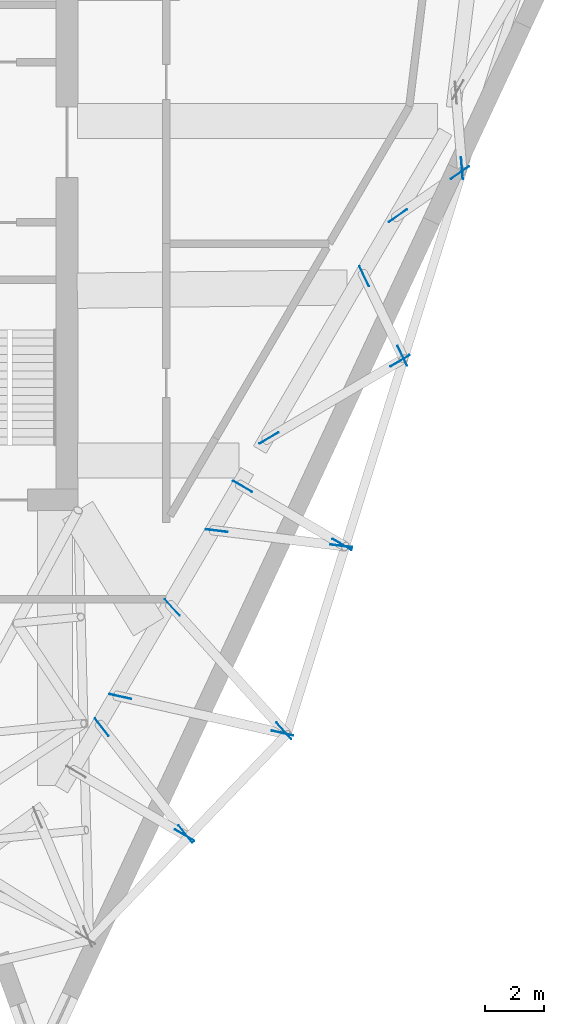
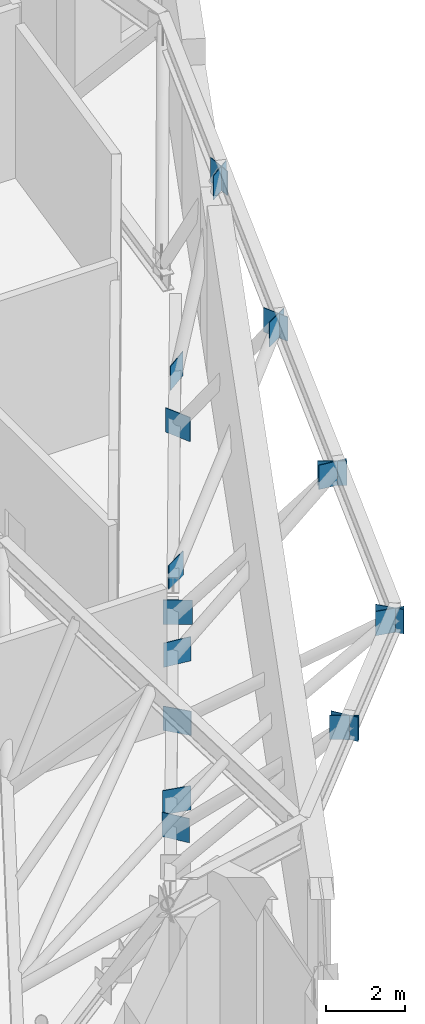
# One storey, part 11 of 15: 18 discrete accessories.
"""IFC4 building model written with IfcOpenShell, lengths in metres."""

from ifc_helpers import new_model, si_unit, direction, frame, origin, origin_2d, place, context, subcontext, project, spatial, rectangle, extrude, material, layer, layer_set, type_object, element, save


model = new_model("IFC4")

# Units and contexts
model_context = context("Model", 3, precision=1e-05, world=origin(), true_north=direction((0.0, 1.0)))
body_context = subcontext(model_context, "Body", "Model", "MODEL_VIEW")
ifc_project = project(units=[si_unit("LENGTHUNIT", "METRE"), si_unit("AREAUNIT", "SQUARE_METRE"), si_unit("VOLUMEUNIT", "CUBIC_METRE"), si_unit("PLANEANGLEUNIT", "RADIAN"), si_unit("MASSUNIT", "GRAM", prefix="KILO")], contexts=[model_context])

# Site, building, storey
site_placement = place(None, origin())
site = spatial("IfcSite", under=ifc_project, at=site_placement, CompositionType="ELEMENT")
building_placement = place(site_placement, origin())
building = spatial("IfcBuilding", under=site, at=building_placement, Name="Dilmun Exchange Tower", CompositionType="ELEMENT")
storey_placement = place(building_placement, frame((0.0, 0.0, 290.89990234375)))
storey = spatial("IfcBuildingStorey", under=building, at=storey_placement, Name="L69", CompositionType="ELEMENT", Elevation=290.89990234375)

# Discrete accessories
ifc_material = material(Name="Steel S355J2", Category="steel")
ifc_layer = layer(ifc_material, 0.02001953125)
ifc_layer_set = layer_set([ifc_layer], Name="Steel S355J2")
discrete_accessory_type = type_object("IfcDiscreteAccessoryType", Name="Gusset plate 20 x 750 x 750", PredefinedType="BRACKET", material=ifc_layer_set)
for number, where, z_axis, x_axis, name in (
    (1, (16.17578125, -23.572021484375, 4.334716796875), (0.0, 0.0, 1.0), (-0.863344473308, 0.504615021981, 0.0), "Gusset plate L69-DG35 end 1"),
    (2, (16.205322265625, -23.531005859375, 4.339599609375), (0.0, 0.0, 1.0), (-0.616697946943, 0.787199874388, 0.0), "Gusset plate L69-DG36 end 1"),
    (3, (13.36083984375, -19.900146484375, 0.00341796875), (0.0, 0.0, 1.0), (-0.616697946943, 0.787199874388, 0.0), "Gusset plate L69-DG36 end 2"),
    (4, (19.550537109375, -20.022705078125, 4.353515625), (0.0, 0.0, 1.0), (-0.670348915755, 0.742046043819, 0.0), "Gusset plate L69-DG37 end 1"),
    (5, (15.759033203125, -15.825927734375, -0.010498046875), (0.0, 0.0, 1.0), (-0.670348915755, 0.742046043819, 0.0), "Gusset plate L69-DG37 end 2"),
    (6, (19.505126953125, -20.100341796875, 4.353515625), (0.0, 0.0, 1.0), (-0.97551612273, 0.219927929772, 0.0), "Gusset plate L69-DG38 end 1"),
    (7, (13.98779296875, -18.8564453125, -0.010498046875), (0.0, 0.0, 1.0), (-0.97551612273, 0.219927929772, 0.0), "Gusset plate L69-DG38 end 2"),
    (8, (21.53076171875, -13.684326171875, 4.329345703125), (0.0, 0.0, 1.0), (-0.863346234741, 0.504612008338, 0.0), "Gusset plate L69-DG39 end 1"),
    (9, (18.148193359375, -11.70751953125, 0.013916015625), (0.0, 0.0, 1.0), (-0.863346234741, 0.504612008338, 0.0), "Gusset plate L69-DG39 end 2"),
    (10, (21.508544921875, -13.73193359375, 4.334716796875), (0.0, 0.0, 1.0), (-0.992635431289, 0.121140003922, 0.0), "Gusset plate L69-DG40 end 1"),
    (11, (17.261962890625, -13.2138671875, 0.00830078125), (0.0, 0.0, 1.0), (-0.992635431289, 0.121140003922, 0.0), "Gusset plate L69-DG40 end 2"),
    (12, (23.50537109375, -7.435791015625, 4.347412109375), (0.0, 0.0, 1.0), (-0.861750493362, -0.507332324213, 0.0), "Gusset plate L69-DG41 end 1"),
    (13, (19.04541015625, -10.0615234375, -0.004150390625), (0.0, 0.0, 1.0), (-0.861750493362, -0.507332324213, 0.0), "Gusset plate L69-DG41 end 2"),
    (14, (23.58251953125, -7.26611328125, 4.314453125), (0.0, 0.0, 1.0), (-0.433004737091, 0.90139164499, 0.0), "Gusset plate L69-DG42 end 1"),
    (15, (22.282958984375, -4.560791015625, 0.02880859375), (0.0, 0.0, 1.0), (-0.433004737091, 0.90139164499, 0.0), "Gusset plate L69-DG42 end 2"),
    (16, (25.610595703125, -0.882080078125, 4.307373046875), (0.0, 0.0, 1.0), (-0.080529464307, 0.99675222868, 0.0), "Gusset plate L69-DG43 end 1"),
    (17, (25.539306640625, -1.033447265625, 4.307373046875), (0.0, 0.0, 1.0), (-0.821299589161, -0.570497138331, 0.0), "Gusset plate L69-DG44 end 1"),
    (18, (23.433837890625, -2.49609375, 0.035888671875), (0.0, 0.0, 1.0), (-0.821299589161, -0.570497138331, 0.0), "Gusset plate L69-DG44 end 2"),
):
    element("IfcDiscreteAccessory", number, at=place(storey_placement, frame(where, z_axis=z_axis, x_axis=x_axis)), inside=storey, type_object=discrete_accessory_type, Name=name, PredefinedType="BRACKET", context=body_context, shape_type="SweptSolid", body=[
        extrude(rectangle(XDim=0.75, YDim=0.02001953125, at=origin_2d()), origin(), (0.0, 0.0, 1.0), 0.75),
    ])

save(model, "model.ifc")
